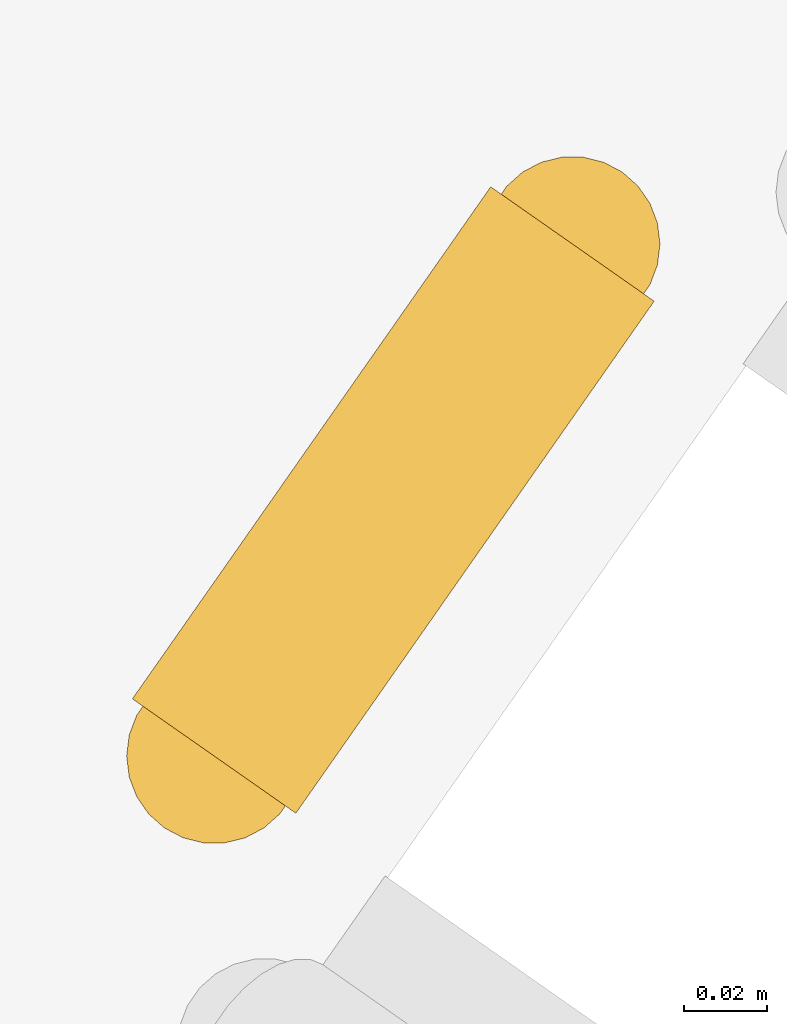
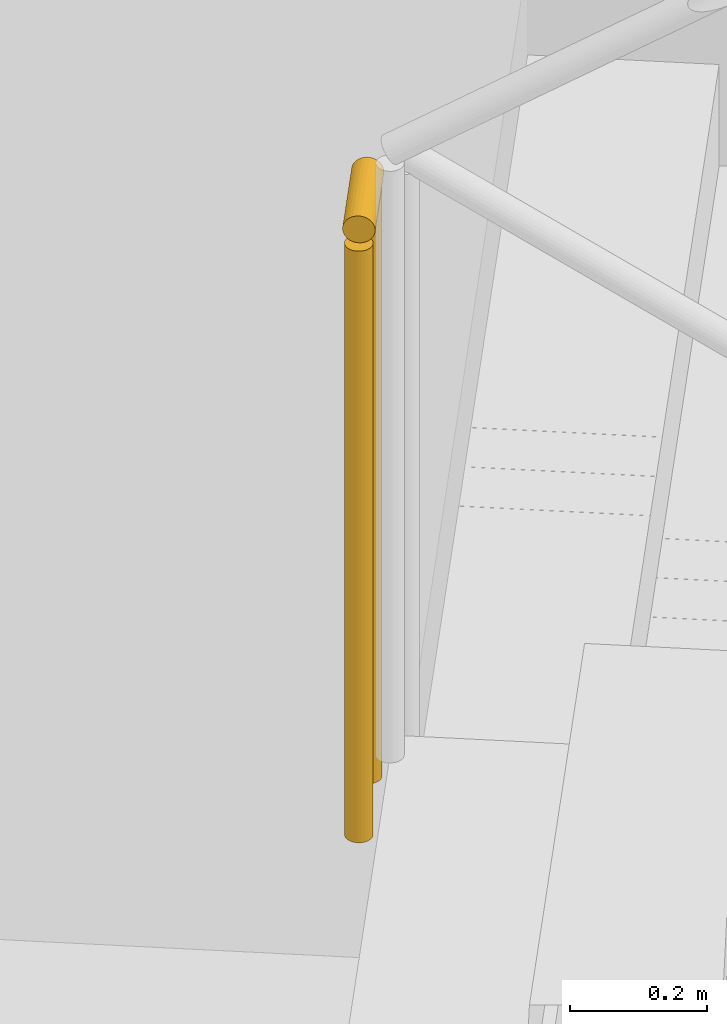
# One storey, part 22 of 24: 1 railing.
"""IFC4 building model written with IfcOpenShell, lengths in metres."""

from ifc_helpers import new_model, si_unit, direction, frame, origin, origin_2d, place, context, subcontext, project, spatial, circle, extrude, material, type_object, element, save


model = new_model("IFC4")

# Units and contexts
model_context = context("Model", 3, precision=1e-05, world=origin(), true_north=direction((0.0, 1.0)))
body_context = subcontext(model_context, "Body", "Model", "MODEL_VIEW")
ifc_project = project(units=[si_unit("LENGTHUNIT", "METRE"), si_unit("AREAUNIT", "SQUARE_METRE"), si_unit("VOLUMEUNIT", "CUBIC_METRE"), si_unit("PLANEANGLEUNIT", "RADIAN"), si_unit("MASSUNIT", "GRAM", prefix="KILO")], contexts=[model_context])

# Site, building, storey
site_placement = place(None, origin())
site = spatial("IfcSite", under=ifc_project, at=site_placement, CompositionType="ELEMENT")
building_placement = place(site_placement, origin())
building = spatial("IfcBuilding", under=site, at=building_placement, Name="Tel Ilan Convention Tower", CompositionType="ELEMENT")
storey_placement = place(building_placement, frame((0.0, 0.0, 72.5)))
storey = spatial("IfcBuildingStorey", under=building, at=storey_placement, Name="L13", CompositionType="ELEMENT", Elevation=72.5)

# Railing
ifc_material = material(Name="Stainless Steel Grade 316", Category="steel")
railing_type = type_object("IfcRailingType", Name="Stainless Steel Stair Guard 1100 mm", PredefinedType="GUARDRAIL", material=ifc_material)
railing_placement = place(storey_placement, frame((18.762939453125, -10.391357421875, 1.800048828125)))
element("IfcRailing", 1, at=railing_placement, inside=storey, type_object=railing_type, Name="L13 S4 stair guard 2", PredefinedType="GUARDRAIL", context=body_context, shape_type="SweptSolid", body=[
    extrude(circle(Radius=0.02392578125, at=origin_2d()), frame((0.0, 0.0, 1.076171875), z_axis=(-0.573353020881, -0.819308436089, 0.0), x_axis=(0.819308436089, -0.573353020881, 0.0)), (0.0, 0.0, 1.0), 0.14990234375),
    extrude(circle(Radius=0.02099609375, at=origin_2d()), origin(), (0.0, 0.0, 1.0), 1.052001953125),
    extrude(circle(Radius=0.02099609375, at=origin_2d()), frame((-0.0859375, -0.122802734375, 0.0)), (0.0, 0.0, 1.0), 1.052001953125),
])

save(model, "model.ifc")
